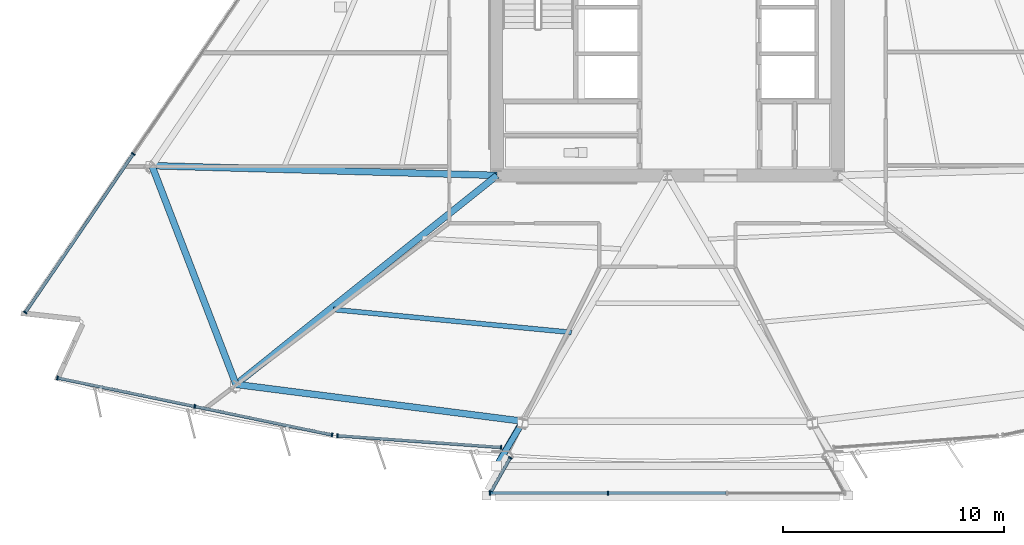
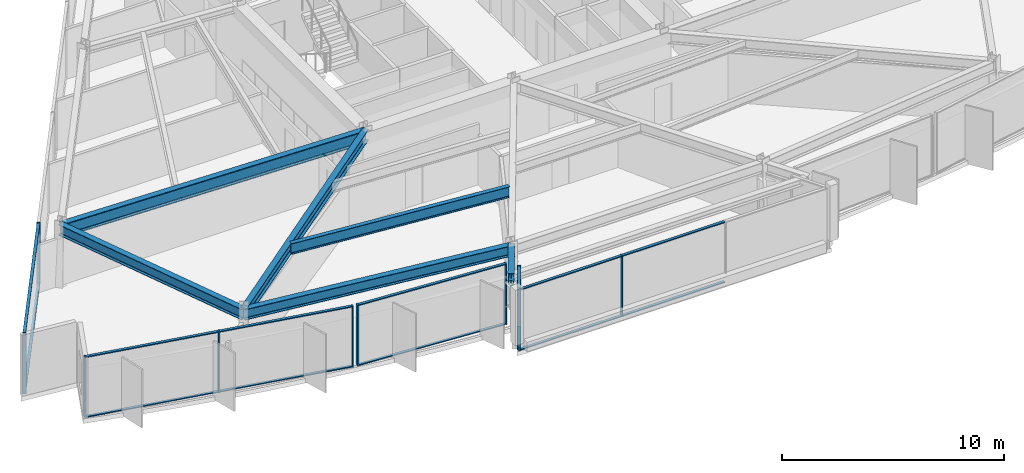
# One storey, part 2 of 16: 26 members, 6 beams, 5 elements without a shape of their own.
"""IFC4 building model written with IfcOpenShell, lengths in metres."""

from ifc_helpers import new_model, si_unit, direction, frame, origin, origin_2d, place, context, subcontext, project, spatial, rectangle, hollow_circle, i_section, extrude, material, material_profile, profile_set, type_object, element, aggregate, save


model = new_model("IFC4")

# Units and contexts
model_context = context("Model", 3, precision=1e-05, world=origin(), true_north=direction((0.0, 1.0)))
body_context = subcontext(model_context, "Body", "Model", "MODEL_VIEW")
ifc_project = project(units=[si_unit("LENGTHUNIT", "METRE"), si_unit("AREAUNIT", "SQUARE_METRE"), si_unit("VOLUMEUNIT", "CUBIC_METRE"), si_unit("PLANEANGLEUNIT", "RADIAN"), si_unit("MASSUNIT", "GRAM", prefix="KILO")], contexts=[model_context])

# Site, building, storey
site_placement = place(None, origin())
site = spatial("IfcSite", under=ifc_project, at=site_placement, CompositionType="ELEMENT")
building_placement = place(site_placement, origin())
building = spatial("IfcBuilding", under=site, at=building_placement, Name="Savorim Split Tower", CompositionType="ELEMENT")
storey_placement = place(building_placement, frame((0.0, 0.0, 66.0)))
storey = spatial("IfcBuildingStorey", under=building, at=storey_placement, Name="L17", CompositionType="ELEMENT", Elevation=66.0)

# Beams
ifc_material_1 = material(Name="Steel S355", Category="steel")
ifc_material_profile_1 = material_profile(ifc_material_1, i_section(OverallWidth=0.219970703125, OverallDepth=0.60009765625, WebThickness=0.011962890625, FlangeThickness=0.01904296875, FilletRadius=0.02392578125, at=origin_2d()), Name="IPE 600")
ifc_profile_set_1 = profile_set([ifc_material_profile_1], Name="Steel S355")
beam_type_1 = type_object("IfcBeamType", Name="BM-JST-IPE600", PredefinedType="JOIST", material=ifc_profile_set_1)
beam_1_placement = place(storey_placement, frame((-15.088623046875, -15.459716796875, 3.050048828125), z_axis=(0.99540057428, -0.095800296048, 0.0), x_axis=(0.095800296048, 0.99540057428, 0.0)))
element("IfcBeam", 1, at=beam_1_placement, inside=storey, type_object=beam_type_1, Name="L17 Secondary Floor Joist JS-01", PredefinedType="JOIST", context=body_context, shape_type="SweptSolid", body=[
    extrude(i_section(OverallWidth=0.219970703125, OverallDepth=0.60009765625, WebThickness=0.011962890625, FlangeThickness=0.01904296875, FilletRadius=0.02392578125, at=origin_2d()), origin(), (0.0, 0.0, 1.0), 10.797607421875),
])
ifc_material_profile_2 = material_profile(ifc_material_1, i_section(OverallWidth=0.300048828125, OverallDepth=0.550048828125, WebThickness=0.014892578125, FlangeThickness=0.029052734375, FilletRadius=0.027099609375, at=origin_2d()), Name="HEB 550")
ifc_profile_set_2 = profile_set([ifc_material_profile_2], Name="Steel S355")
beam_type_2 = type_object("IfcBeamType", Name="BM-PRI-HEB550", PredefinedType="BEAM", material=ifc_profile_set_2)
beam_2_placement = place(storey_placement, frame((-6.533203125, -20.508544921875, 3.074951171875), z_axis=(-0.50697472482, -0.861960920456, 0.0), x_axis=(0.861960920456, -0.50697472482, 0.0)))
element("IfcBeam", 2, at=beam_2_placement, inside=storey, type_object=beam_type_2, Name="L17 Cantilevered Lounge Rib 1", PredefinedType="BEAM", context=body_context, shape_type="SweptSolid", body=[
    extrude(i_section(OverallWidth=0.300048828125, OverallDepth=0.550048828125, WebThickness=0.014892578125, FlangeThickness=0.029052734375, FilletRadius=0.027099609375, at=origin_2d()), origin(), (0.0, 0.0, 1.0), 2.35009765625),
])
ifc_material_profile_3 = material_profile(ifc_material_1, i_section(OverallWidth=0.300048828125, OverallDepth=0.60009765625, WebThickness=0.015380859375, FlangeThickness=0.030029296875, FilletRadius=0.027099609375, at=origin_2d()), Name="HEB 600")
ifc_profile_set_3 = profile_set([ifc_material_profile_3], Name="Steel S355")
beam_type_3 = type_object("IfcBeamType", Name="BM-PRI-HEB600", PredefinedType="BEAM", material=ifc_profile_set_3)
beam_3_placement = place(storey_placement, frame((-19.49365234375, -18.844482421875, 3.050048828125), z_axis=(0.780558158642, 0.625083163249, 0.0), x_axis=(-0.625083163249, 0.780558158642, 0.0)))
element("IfcBeam", 3, at=beam_3_placement, inside=storey, type_object=beam_type_3, Name="L17 Primary Floor Girder RG-01", PredefinedType="BEAM", context=body_context, shape_type="SweptSolid", body=[
    extrude(i_section(OverallWidth=0.300048828125, OverallDepth=0.60009765625, WebThickness=0.015380859375, FlangeThickness=0.030029296875, FilletRadius=0.027099609375, at=origin_2d()), origin(), (0.0, 0.0, 1.0), 15.109375),
])
ifc_material_2 = material(Name="Steel S460", Category="steel")
ifc_material_profile_4 = material_profile(ifc_material_2, i_section(OverallWidth=0.303955078125, OverallDepth=0.716064453125, WebThickness=0.02099609375, FlangeThickness=0.0400390625, FilletRadius=0.027099609375, at=origin_2d()), Name="HE 700 M")
ifc_profile_set_4 = profile_set([ifc_material_profile_4], Name="Steel S460")
beam_type_4 = type_object("IfcBeamType", Name="BM-PRI-HEM700", PredefinedType="BEAM", material=ifc_profile_set_4)
beam_4_placement = place(storey_placement, frame((-23.294677734375, -8.960693359375, 2.991943359375), z_axis=(0.999603631954, -0.028152779352, 0.0), x_axis=(0.028152779352, 0.999603631954, 0.0)))
element("IfcBeam", 4, at=beam_4_placement, inside=storey, type_object=beam_type_4, Name="L17 Primary Floor Girder RG-10", PredefinedType="BEAM", context=body_context, shape_type="SweptSolid", body=[
    extrude(i_section(OverallWidth=0.303955078125, OverallDepth=0.716064453125, WebThickness=0.02099609375, FlangeThickness=0.0400390625, FilletRadius=0.027099609375, at=origin_2d()), origin(), (0.0, 0.0, 1.0), 15.600830078125),
])
ifc_material_profile_5 = material_profile(ifc_material_1, i_section(OverallWidth=0.300048828125, OverallDepth=0.590087890625, WebThickness=0.012939453125, FlangeThickness=0.02490234375, FilletRadius=0.027099609375, at=origin_2d()), Name="HEA 600")
ifc_profile_set_5 = profile_set([ifc_material_profile_5], Name="Steel S355")
beam_type_5 = type_object("IfcBeamType", Name="BM-SPN-HEA600", PredefinedType="SPANDREL", material=ifc_profile_set_5)
beam_5_placement = place(storey_placement, frame((-19.49365234375, -18.844482421875, 3.054931640625), z_axis=(0.991857839124, -0.127350017546, 0.0), x_axis=(0.127350017546, 0.991857839124, 0.0)))
element("IfcBeam", 5, at=beam_5_placement, inside=storey, type_object=beam_type_5, Name="L17 Perimeter Spandrel Beam 1", PredefinedType="SPANDREL", context=body_context, shape_type="SweptSolid", body=[
    extrude(i_section(OverallWidth=0.300048828125, OverallDepth=0.590087890625, WebThickness=0.012939453125, FlangeThickness=0.02490234375, FilletRadius=0.027099609375, at=origin_2d()), origin(), (0.0, 0.0, 1.0), 13.06689453125),
])
beam_6_placement = place(storey_placement, frame((-23.294677734375, -8.960693359375, 3.054931640625), z_axis=(0.358943545802, -0.93335927216, 0.0), x_axis=(0.93335927216, 0.358943545802, 0.0)))
element("IfcBeam", 6, at=beam_6_placement, inside=storey, type_object=beam_type_5, Name="L17 Perimeter Spandrel Beam 10", PredefinedType="SPANDREL", context=body_context, shape_type="SweptSolid", body=[
    extrude(i_section(OverallWidth=0.300048828125, OverallDepth=0.590087890625, WebThickness=0.012939453125, FlangeThickness=0.02490234375, FilletRadius=0.027099609375, at=origin_2d()), origin(), (0.0, 0.0, 1.0), 10.589599609375),
])

# Curtain wall, members
ifc_material_3 = material(Name="Dark Ceramic-Fritted Insulated Glass", Category="glass")
curtain_wall_type_1 = type_object("IfcCurtainWallType", Name="CW-TWR-FRIT-A", PredefinedType="NOTDEFINED", material=ifc_material_3)
curtain_wall_1_placement = place(storey_placement, origin())
curtain_wall_1 = element("IfcCurtainWall", 7, at=curtain_wall_1_placement, inside=storey, type_object=curtain_wall_type_1, Name="L17 Curtain Wall CW-L17-SF1A", PredefinedType="NOTDEFINED")
ifc_material_4 = material(Name="Charcoal Anodised Aluminium", Category="aluminium")
ifc_material_profile_6 = material_profile(ifc_material_4, rectangle(XDim=0.179931640625, YDim=0.06494140625, at=origin_2d()), Name="ALU-M 180x65")
ifc_profile_set_6 = profile_set([ifc_material_profile_6], Name="Charcoal Anodised Aluminium")
member_type_1 = type_object("IfcMemberType", Name="CWM-180x65", PredefinedType="MULLION", material=ifc_profile_set_6)
member_1_placement = place(storey_placement, frame((-27.564208984375, -18.551025390625, 0.0), z_axis=(0.0, 0.0, 1.0), x_axis=(0.203216172809, 0.979133896415, 0.0)))
member_1 = element("IfcMember", 8, at=member_1_placement, type_object=member_type_1, Name="CW-02 mullion 1", PredefinedType="MULLION", context=body_context, shape_type="SweptSolid", body=[
    extrude(rectangle(XDim=0.179931640625, YDim=0.06494140625, at=origin_2d()), origin(), (0.0, 0.0, 1.0), 3.35009765625),
])
member_2_placement = place(storey_placement, frame((-21.3603515625, -19.838623046875, 0.0), z_axis=(0.0, 0.0, 1.0), x_axis=(0.203216172809, 0.979133896415, 0.0)))
member_2 = element("IfcMember", 9, at=member_2_placement, type_object=member_type_1, Name="CW-02 mullion 2", PredefinedType="MULLION", context=body_context, shape_type="SweptSolid", body=[
    extrude(rectangle(XDim=0.179931640625, YDim=0.06494140625, at=origin_2d()), origin(), (0.0, 0.0, 1.0), 3.35009765625),
])
member_3_placement = place(storey_placement, frame((-15.156494140625, -21.126220703125, 0.0), z_axis=(0.0, 0.0, 1.0), x_axis=(0.203216172809, 0.979133896415, 0.0)))
member_3 = element("IfcMember", 10, at=member_3_placement, type_object=member_type_1, Name="CW-02 mullion 3", PredefinedType="MULLION", context=body_context, shape_type="SweptSolid", body=[
    extrude(rectangle(XDim=0.179931640625, YDim=0.06494140625, at=origin_2d()), origin(), (0.0, 0.0, 1.0), 3.35009765625),
])

curtain_wall_2_placement = place(storey_placement, origin())
curtain_wall_2 = element("IfcCurtainWall", 11, at=curtain_wall_2_placement, inside=storey, type_object=curtain_wall_type_1, Name="L17 Curtain Wall CW-L17-SF2A", PredefinedType="NOTDEFINED")
member_4_placement = place(storey_placement, frame((-14.910400390625, -21.160400390625, 0.0), z_axis=(0.0, 0.0, 1.0), x_axis=(0.071546359352, 0.997437275453, 0.0)))
member_4 = element("IfcMember", 12, at=member_4_placement, type_object=member_type_1, Name="CW-02 mullion 1", PredefinedType="MULLION", context=body_context, shape_type="SweptSolid", body=[
    extrude(rectangle(XDim=0.179931640625, YDim=0.06494140625, at=origin_2d()), origin(), (0.0, 0.0, 1.0), 3.35009765625),
])
member_5_placement = place(storey_placement, frame((-7.515380859375, -21.69091796875, 0.0), z_axis=(0.0, 0.0, 1.0), x_axis=(0.071546359352, 0.997437275453, 0.0)))
member_5 = element("IfcMember", 13, at=member_5_placement, type_object=member_type_1, Name="CW-02 mullion 2", PredefinedType="MULLION", context=body_context, shape_type="SweptSolid", body=[
    extrude(rectangle(XDim=0.179931640625, YDim=0.06494140625, at=origin_2d()), origin(), (0.0, 0.0, 1.0), 3.35009765625),
])

curtain_wall_type_2 = type_object("IfcCurtainWallType", Name="CW-BAY-LOUNGE", PredefinedType="NOTDEFINED", material=ifc_material_3)
curtain_wall_3_placement = place(storey_placement, origin())
curtain_wall_3 = element("IfcCurtainWall", 14, at=curtain_wall_3_placement, inside=storey, type_object=curtain_wall_type_2, Name="L17 Curtain Wall CW-L17-BAYF", PredefinedType="NOTDEFINED")
member_6_placement = place(storey_placement, frame((-8.025146484375, -23.759765625, 0.0), z_axis=(0.0, 0.0, 1.0), x_axis=(0.0, 1.0, 0.0)))
member_6 = element("IfcMember", 15, at=member_6_placement, type_object=member_type_1, Name="CW-04 mullion 1", PredefinedType="MULLION", context=body_context, shape_type="SweptSolid", body=[
    extrude(rectangle(XDim=0.179931640625, YDim=0.06494140625, at=origin_2d()), origin(), (0.0, 0.0, 1.0), 3.35009765625),
])
member_7_placement = place(storey_placement, frame((-2.685791015625, -23.759765625, 0.0), z_axis=(0.0, 0.0, 1.0), x_axis=(0.0, 1.0, 0.0)))
member_7 = element("IfcMember", 16, at=member_7_placement, type_object=member_type_1, Name="CW-04 mullion 2", PredefinedType="MULLION", context=body_context, shape_type="SweptSolid", body=[
    extrude(rectangle(XDim=0.179931640625, YDim=0.06494140625, at=origin_2d()), origin(), (0.0, 0.0, 1.0), 3.35009765625),
])

curtain_wall_4_placement = place(storey_placement, origin())
curtain_wall_4 = element("IfcCurtainWall", 17, at=curtain_wall_4_placement, inside=storey, type_object=curtain_wall_type_2, Name="L17 Curtain Wall CW-L17-BAYW", PredefinedType="NOTDEFINED")
member_8_placement = place(storey_placement, frame((-7.102294921875, -22.16162109375, 0.0), z_axis=(0.0, 0.0, 1.0), x_axis=(0.870451171498, -0.492254769442, 0.0)))
member_8 = element("IfcMember", 18, at=member_8_placement, type_object=member_type_1, Name="CW-04 mullion 1", PredefinedType="MULLION", context=body_context, shape_type="SweptSolid", body=[
    extrude(rectangle(XDim=0.179931640625, YDim=0.06494140625, at=origin_2d()), origin(), (0.0, 0.0, 1.0), 3.35009765625),
])
member_9_placement = place(storey_placement, frame((-7.9736328125, -23.702392578125, 0.0), z_axis=(0.0, 0.0, 1.0), x_axis=(0.870451171498, -0.492254769442, 0.0)))
member_9 = element("IfcMember", 19, at=member_9_placement, type_object=member_type_1, Name="CW-04 mullion 2", PredefinedType="MULLION", context=body_context, shape_type="SweptSolid", body=[
    extrude(rectangle(XDim=0.179931640625, YDim=0.06494140625, at=origin_2d()), origin(), (0.0, 0.0, 1.0), 3.35009765625),
])

curtain_wall_5_placement = place(storey_placement, origin())
curtain_wall_5 = element("IfcCurtainWall", 20, at=curtain_wall_5_placement, inside=storey, type_object=curtain_wall_type_1, Name="L17 Curtain Wall CW-L17-WEST", PredefinedType="NOTDEFINED")
member_10_placement = place(storey_placement, frame((-24.13720703125, -8.42578125, 0.0), z_axis=(0.0, 0.0, 1.0), x_axis=(0.826820172644, -0.562466356423, 0.0)))
member_10 = element("IfcMember", 21, at=member_10_placement, type_object=member_type_1, Name="CW-02 mullion 4", PredefinedType="MULLION", context=body_context, shape_type="SweptSolid", body=[
    extrude(rectangle(XDim=0.179931640625, YDim=0.06494140625, at=origin_2d()), origin(), (0.0, 0.0, 1.0), 3.35009765625),
])
member_11_placement = place(storey_placement, frame((-29.014404296875, -15.59521484375, 0.0), z_axis=(0.0, 0.0, 1.0), x_axis=(0.826820172644, -0.562466356423, 0.0)))
member_11 = element("IfcMember", 22, at=member_11_placement, type_object=member_type_1, Name="CW-02 mullion 5", PredefinedType="MULLION", context=body_context, shape_type="SweptSolid", body=[
    extrude(rectangle(XDim=0.179931640625, YDim=0.06494140625, at=origin_2d()), origin(), (0.0, 0.0, 1.0), 3.35009765625),
])

# Member
ifc_material_profile_7 = material_profile(ifc_material_4, rectangle(XDim=0.139892578125, YDim=0.054931640625, at=origin_2d()), Name="ALU-T 140x55")
ifc_profile_set_7 = profile_set([ifc_material_profile_7], Name="Charcoal Anodised Aluminium")
member_type_2 = type_object("IfcMemberType", Name="CWT-140x55", PredefinedType="USERDEFINED", material=ifc_profile_set_7)
member_12_placement = place(storey_placement, frame((-27.532470703125, -18.5576171875, 0.027587890625), z_axis=(0.979132375842, -0.203223499081, 0.0), x_axis=(0.203223499081, 0.979132375842, 0.0)))
member_12 = element("IfcMember", 23, at=member_12_placement, type_object=member_type_2, Name="CW-02 transom 1.1", ObjectType="TRANSOM", PredefinedType="USERDEFINED", context=body_context, shape_type="SweptSolid", body=[
    extrude(rectangle(XDim=0.139892578125, YDim=0.054931640625, at=origin_2d()), origin(), (0.0, 0.0, 1.0), 6.27099609375),
])

member_13_placement = place(storey_placement, frame((-27.532470703125, -18.5576171875, 3.322509765625), z_axis=(0.979132375842, -0.203223499081, 0.0), x_axis=(0.203223499081, 0.979132375842, 0.0)))
member_13 = element("IfcMember", 24, at=member_13_placement, type_object=member_type_2, Name="CW-02 transom 1.2", ObjectType="TRANSOM", PredefinedType="USERDEFINED", context=body_context, shape_type="SweptSolid", body=[
    extrude(rectangle(XDim=0.139892578125, YDim=0.054931640625, at=origin_2d()), origin(), (0.0, 0.0, 1.0), 6.27099609375),
])

member_14_placement = place(storey_placement, frame((-21.32861328125, -19.84521484375, 0.027587890625), z_axis=(0.979133983621, -0.203215752634, 0.0), x_axis=(0.203215752634, 0.979133983621, 0.0)))
member_14 = element("IfcMember", 25, at=member_14_placement, type_object=member_type_2, Name="CW-02 transom 2.1", ObjectType="TRANSOM", PredefinedType="USERDEFINED", context=body_context, shape_type="SweptSolid", body=[
    extrude(rectangle(XDim=0.139892578125, YDim=0.054931640625, at=origin_2d()), origin(), (0.0, 0.0, 1.0), 6.271240234375),
])

member_15_placement = place(storey_placement, frame((-21.32861328125, -19.84521484375, 3.322509765625), z_axis=(0.979133983621, -0.203215752634, 0.0), x_axis=(0.203215752634, 0.979133983621, 0.0)))
member_15 = element("IfcMember", 26, at=member_15_placement, type_object=member_type_2, Name="CW-02 transom 2.2", ObjectType="TRANSOM", PredefinedType="USERDEFINED", context=body_context, shape_type="SweptSolid", body=[
    extrude(rectangle(XDim=0.139892578125, YDim=0.054931640625, at=origin_2d()), origin(), (0.0, 0.0, 1.0), 6.271240234375),
])

aggregate(curtain_wall_1, [member_1, member_2, member_3, member_12, member_13, member_14, member_15])

member_16_placement = place(storey_placement, frame((-14.878173828125, -21.162841796875, 0.027587890625), z_axis=(0.997438931774, -0.071523264616, 0.0), x_axis=(0.071523264616, 0.997438931774, 0.0)))
member_16 = element("IfcMember", 27, at=member_16_placement, type_object=member_type_2, Name="CW-02 transom 1.1", ObjectType="TRANSOM", PredefinedType="USERDEFINED", context=body_context, shape_type="SweptSolid", body=[
    extrude(rectangle(XDim=0.139892578125, YDim=0.054931640625, at=origin_2d()), origin(), (0.0, 0.0, 1.0), 7.34912109375),
])

member_17_placement = place(storey_placement, frame((-14.878173828125, -21.162841796875, 3.322509765625), z_axis=(0.997438931774, -0.071523264616, 0.0), x_axis=(0.071523264616, 0.997438931774, 0.0)))
member_17 = element("IfcMember", 28, at=member_17_placement, type_object=member_type_2, Name="CW-02 transom 1.2", ObjectType="TRANSOM", PredefinedType="USERDEFINED", context=body_context, shape_type="SweptSolid", body=[
    extrude(rectangle(XDim=0.139892578125, YDim=0.054931640625, at=origin_2d()), origin(), (0.0, 0.0, 1.0), 7.34912109375),
])

aggregate(curtain_wall_2, [member_4, member_5, member_16, member_17])

member_18_placement = place(storey_placement, frame((-7.99267578125, -23.759765625, 0.027587890625), z_axis=(1.0, 0.0, 0.0), x_axis=(0.0, 1.0, 0.0)))
member_18 = element("IfcMember", 29, at=member_18_placement, type_object=member_type_2, Name="CW-04 transom 1.1", ObjectType="TRANSOM", PredefinedType="USERDEFINED", context=body_context, shape_type="SweptSolid", body=[
    extrude(rectangle(XDim=0.139892578125, YDim=0.054931640625, at=origin_2d()), origin(), (0.0, 0.0, 1.0), 5.2744140625),
])

member_19_placement = place(storey_placement, frame((-7.99267578125, -23.759765625, 3.322509765625), z_axis=(1.0, 0.0, 0.0), x_axis=(0.0, 1.0, 0.0)))
member_19 = element("IfcMember", 30, at=member_19_placement, type_object=member_type_2, Name="CW-04 transom 1.2", ObjectType="TRANSOM", PredefinedType="USERDEFINED", context=body_context, shape_type="SweptSolid", body=[
    extrude(rectangle(XDim=0.139892578125, YDim=0.054931640625, at=origin_2d()), origin(), (0.0, 0.0, 1.0), 5.2744140625),
])

member_20_placement = place(storey_placement, frame((-2.6533203125, -23.759765625, 0.027587890625), z_axis=(1.0, 0.0, 0.0), x_axis=(0.0, 1.0, 0.0)))
member_20 = element("IfcMember", 31, at=member_20_placement, type_object=member_type_2, Name="CW-04 transom 2.1", ObjectType="TRANSOM", PredefinedType="USERDEFINED", context=body_context, shape_type="SweptSolid", body=[
    extrude(rectangle(XDim=0.139892578125, YDim=0.054931640625, at=origin_2d()), origin(), (0.0, 0.0, 1.0), 5.306640625),
])

member_21_placement = place(storey_placement, frame((-2.6533203125, -23.759765625, 3.322509765625), z_axis=(1.0, 0.0, 0.0), x_axis=(0.0, 1.0, 0.0)))
member_21 = element("IfcMember", 32, at=member_21_placement, type_object=member_type_2, Name="CW-04 transom 2.2", ObjectType="TRANSOM", PredefinedType="USERDEFINED", context=body_context, shape_type="SweptSolid", body=[
    extrude(rectangle(XDim=0.139892578125, YDim=0.054931640625, at=origin_2d()), origin(), (0.0, 0.0, 1.0), 5.306640625),
])

aggregate(curtain_wall_3, [member_6, member_7, member_18, member_19, member_20, member_21])

member_22_placement = place(storey_placement, frame((-7.118408203125, -22.18994140625, 0.027587890625), z_axis=(-0.492170497678, -0.870498823213, 0.0), x_axis=(0.870498823213, -0.492170497678, 0.0)))
member_22 = element("IfcMember", 33, at=member_22_placement, type_object=member_type_2, Name="CW-04 transom 1.1", ObjectType="TRANSOM", PredefinedType="USERDEFINED", context=body_context, shape_type="SweptSolid", body=[
    extrude(rectangle(XDim=0.139892578125, YDim=0.054931640625, at=origin_2d()), origin(), (0.0, 0.0, 1.0), 1.704833984375),
])

member_23_placement = place(storey_placement, frame((-7.118408203125, -22.18994140625, 3.322509765625), z_axis=(-0.492170497678, -0.870498823213, 0.0), x_axis=(0.870498823213, -0.492170497678, 0.0)))
member_23 = element("IfcMember", 34, at=member_23_placement, type_object=member_type_2, Name="CW-04 transom 1.2", ObjectType="TRANSOM", PredefinedType="USERDEFINED", context=body_context, shape_type="SweptSolid", body=[
    extrude(rectangle(XDim=0.139892578125, YDim=0.054931640625, at=origin_2d()), origin(), (0.0, 0.0, 1.0), 1.704833984375),
])

aggregate(curtain_wall_4, [member_8, member_9, member_22, member_23])

member_24_placement = place(storey_placement, frame((-24.155517578125, -8.45263671875, 0.027587890625), z_axis=(-0.562459768651, -0.826824654113, 0.0), x_axis=(0.826824654113, -0.562459768651, 0.0)))
member_24 = element("IfcMember", 35, at=member_24_placement, type_object=member_type_2, Name="CW-02 transom 4.1", ObjectType="TRANSOM", PredefinedType="USERDEFINED", context=body_context, shape_type="SweptSolid", body=[
    extrude(rectangle(XDim=0.139892578125, YDim=0.054931640625, at=origin_2d()), origin(), (0.0, 0.0, 1.0), 8.606201171875),
])

member_25_placement = place(storey_placement, frame((-24.155517578125, -8.45263671875, 3.322509765625), z_axis=(-0.562459768651, -0.826824654113, 0.0), x_axis=(0.826824654113, -0.562459768651, 0.0)))
member_25 = element("IfcMember", 36, at=member_25_placement, type_object=member_type_2, Name="CW-02 transom 4.2", ObjectType="TRANSOM", PredefinedType="USERDEFINED", context=body_context, shape_type="SweptSolid", body=[
    extrude(rectangle(XDim=0.139892578125, YDim=0.054931640625, at=origin_2d()), origin(), (0.0, 0.0, 1.0), 8.606201171875),
])

aggregate(curtain_wall_5, [member_10, member_11, member_24, member_25])

ifc_material_profile_8 = material_profile(ifc_material_1, hollow_circle(Radius=0.136474609375, WallThickness=0.01611328125, at=origin_2d()), Name="CHS 273x16")
ifc_profile_set_8 = profile_set([ifc_material_profile_8], Name="Steel S355")
member_type_3 = type_object("IfcMemberType", Name="MBR-CRN-CHS273", PredefinedType="BRACE", material=ifc_profile_set_8)
member_26_placement = place(storey_placement, frame((-6.541259765625, -20.549072265625, 2.449951171875), z_axis=(-0.505596269808, -0.848154171614, 0.158135742734), x_axis=(0.858962164143, -0.512039061567, 0.0)))
element("IfcMember", 37, at=member_26_placement, inside=storey, type_object=member_type_3, Name="L17 Cantilevered Bay Support Strut 1", PredefinedType="BRACE", context=body_context, shape_type="SweptSolid", body=[
    extrude(hollow_circle(Radius=0.136474609375, WallThickness=0.01611328125, at=origin_2d()), origin(), (0.0, 0.0, 1.0), 2.340576171875),
])

save(model, "model.ifc")
